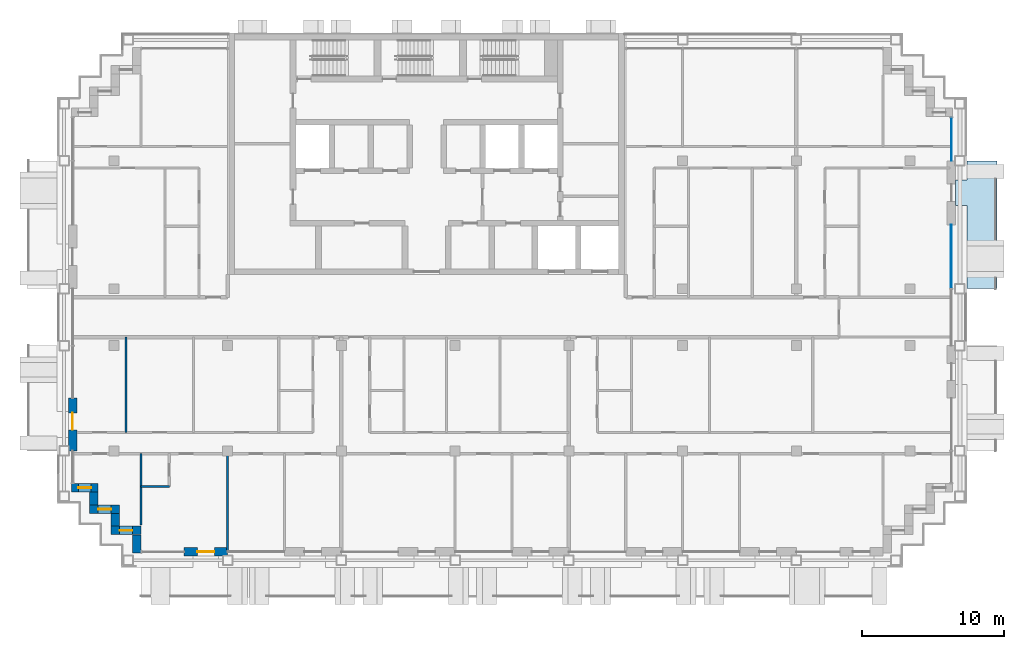
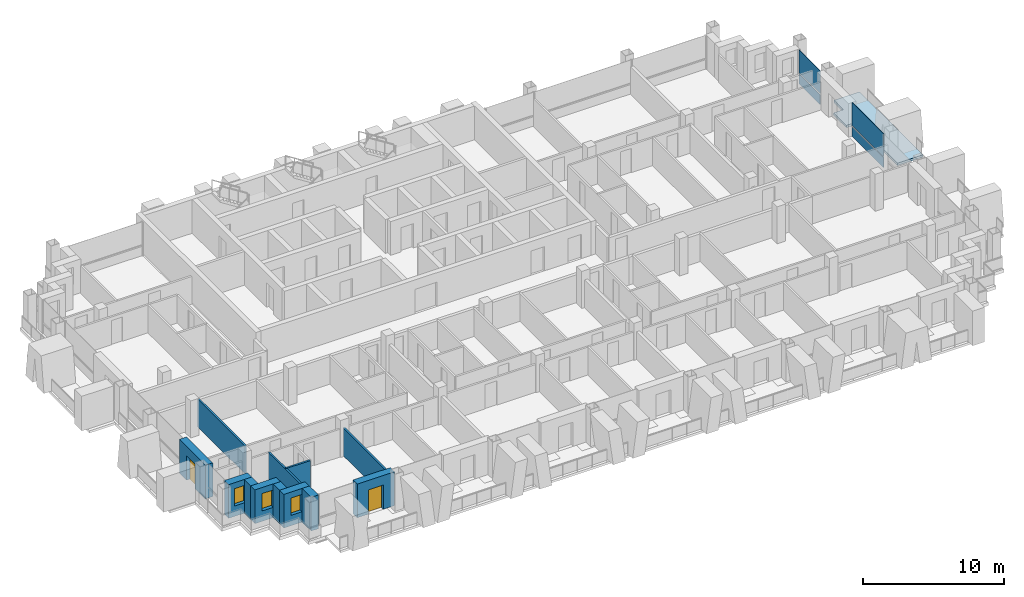
# One storey, part 7 of 16: 12 walls, 4 plates, 3 windows, 2 doors, 1 slab, 5 openings, 2 elements without a shape of their own.
"""IFC4 building model written with IfcOpenShell, lengths in metres."""

from ifc_helpers import new_model, si_unit, direction, frame, frame_2d, origin, origin_2d, place, context, subcontext, project, spatial, polyline, rectangle, outline, extrude, material, layer, layer_set, type_object, element, fill, aggregate, save


model = new_model("IFC4")

# Units and contexts
model_context = context("Model", 3, precision=1e-05, world=origin(), true_north=direction((0.0, 1.0)))
body_context = subcontext(model_context, "Body", "Model", "MODEL_VIEW")
ifc_project = project(units=[si_unit("LENGTHUNIT", "METRE"), si_unit("AREAUNIT", "SQUARE_METRE"), si_unit("VOLUMEUNIT", "CUBIC_METRE"), si_unit("PLANEANGLEUNIT", "RADIAN"), si_unit("MASSUNIT", "GRAM", prefix="KILO")], contexts=[model_context])

# Site, building, storey
site_placement = place(None, origin())
site = spatial("IfcSite", under=ifc_project, at=site_placement, CompositionType="ELEMENT")
building_placement = place(site_placement, origin())
building = spatial("IfcBuilding", under=site, at=building_placement, Name="Vidyagriha Tower", CompositionType="ELEMENT")
storey_placement = place(building_placement, frame((0.0, 0.0, 171.699951171875)))
storey = spatial("IfcBuildingStorey", under=building, at=storey_placement, Name="L44", CompositionType="ELEMENT", Elevation=171.699951171875)

# Curtain wall, plate
ifc_material_1 = material(Name="Aluminium and glass curtain wall", Category="aluminium")
curtain_wall_type = type_object("IfcCurtainWallType", Name="Dwelling skin unitised curtain wall", PredefinedType="USERDEFINED", material=ifc_material_1)
curtain_wall_1_placement = place(storey_placement, origin())
curtain_wall_1 = element("IfcCurtainWall", 1, at=curtain_wall_1_placement, inside=storey, type_object=curtain_wall_type, Name="CW1 dwelling skin", ObjectType="UNITISED", PredefinedType="USERDEFINED")
ifc_material_2 = material(Name="Glass dark ceramic-fritted spandrel", Category="glass")
ifc_layer_1 = layer(ifc_material_2, 0.0400390625)
ifc_layer_set_1 = layer_set([ifc_layer_1], Name="Glass dark ceramic-fritted spandrel")
plate_type_1 = type_object("IfcPlateType", Name="Ceramic-fritted spandrel panel", PredefinedType="CURTAIN_PANEL", material=ifc_layer_set_1)
plate_1_placement = place(storey_placement, frame((36.89990234375, 12.514892578125, 0.0), z_axis=(0.0, 0.0, 1.0), x_axis=(0.0, 1.0, 0.0)))
plate_1 = element("IfcPlate", 2, at=plate_1_placement, type_object=plate_type_1, Name="CW1 panel 1.1", PredefinedType="CURTAIN_PANEL", context=body_context, shape_type="SweptSolid", body=[
    extrude(rectangle(XDim=3.030029296875, YDim=0.0400390625, at=origin_2d()), origin(), (0.0, 0.0, 1.0), 0.85009765625),
])

curtain_wall_2_placement = place(storey_placement, origin())
curtain_wall_2 = element("IfcCurtainWall", 3, at=curtain_wall_2_placement, inside=storey, type_object=curtain_wall_type, Name="CW1 dwelling skin", ObjectType="UNITISED", PredefinedType="USERDEFINED")
ifc_material_3 = material(Name="Glass dark ceramic-fritted", Category="glass")
ifc_layer_2 = layer(ifc_material_3, 0.028076171875)
ifc_layer_set_2 = layer_set([ifc_layer_2], Name="Glass dark ceramic-fritted")
plate_type_2 = type_object("IfcPlateType", Name="Dark ceramic-fritted vision glass panel", PredefinedType="CURTAIN_PANEL", material=ifc_layer_set_2)
plate_2_placement = place(storey_placement, frame((36.89990234375, 4.267578125, 0.9501953125), z_axis=(0.0, 0.0, 1.0), x_axis=(0.0, 1.0, 0.0)))
plate_2 = element("IfcPlate", 4, at=plate_2_placement, type_object=plate_type_2, Name="CW1 panel 2.2", PredefinedType="CURTAIN_PANEL", context=body_context, shape_type="SweptSolid", body=[
    extrude(rectangle(XDim=4.465087890625, YDim=0.028076171875, at=origin_2d()), origin(), (0.0, 0.0, 1.0), 1.969970703125),
])

# Plate
plate_3_placement = place(storey_placement, frame((36.89990234375, 12.514892578125, 0.9501953125), z_axis=(0.0, 0.0, 1.0), x_axis=(0.0, 1.0, 0.0)))
plate_3 = element("IfcPlate", 5, at=plate_3_placement, type_object=plate_type_2, Name="CW1 panel 1.2", PredefinedType="CURTAIN_PANEL", context=body_context, shape_type="SweptSolid", body=[
    extrude(rectangle(XDim=3.030029296875, YDim=0.028076171875, at=origin_2d()), origin(), (0.0, 0.0, 1.0), 1.969970703125),
])

aggregate(curtain_wall_1, [plate_1, plate_3])

ifc_material_4 = material(Name="Aluminium black anodised", Category="aluminium")
ifc_layer_3 = layer(ifc_material_4, 0.06005859375)
ifc_layer_set_3 = layer_set([ifc_layer_3], Name="Aluminium black anodised")
plate_type_3 = type_object("IfcPlateType", Name="Operable black-metal vent panel", PredefinedType="CURTAIN_PANEL", material=ifc_layer_set_3)
plate_4_placement = place(storey_placement, frame((36.89990234375, 4.267578125, 0.0), z_axis=(0.0, 0.0, 1.0), x_axis=(0.0, 1.0, 0.0)))
plate_4 = element("IfcPlate", 6, at=plate_4_placement, type_object=plate_type_3, Name="CW1 panel 2.1", PredefinedType="CURTAIN_PANEL", context=body_context, shape_type="SweptSolid", body=[
    extrude(rectangle(XDim=4.465087890625, YDim=0.06005859375, at=origin_2d()), origin(), (0.0, 0.0, 1.0), 0.85009765625),
])

aggregate(curtain_wall_2, [plate_4, plate_2])

# Slab
ifc_material_5 = material(Name="Precast concrete C40/50", Category="concrete")
ifc_layer_4 = layer(ifc_material_5, 0.199951171875)
ifc_layer_set_4 = layer_set([ifc_layer_4], Name="Precast concrete C40/50")
slab_type = type_object("IfcSlabType", Name="Precast balcony slab 200", PredefinedType="USERDEFINED", material=ifc_layer_set_4)
slab_placement = place(storey_placement, frame((0.0, 0.0, -0.199951171875)))
element("IfcSlab", 7, at=slab_placement, inside=storey, type_object=slab_type, Name="Balcony slab L44 R30.2-2", ObjectType="BALCONY", PredefinedType="USERDEFINED", context=body_context, shape_type="SweptSolid", body=[
    extrude(outline(polyline([(38.0, 7.85009765625), (38.0, 2.0), (40.10009765625, 2.0), (40.10009765625, 11.0), (38.0, 11.0), (38.0, 9.64990234375), (37.199951171875, 9.64990234375), (37.199951171875, 7.85009765625), (38.0, 7.85009765625)])), origin(), (0.0, 0.0, 1.0), 0.199951171875),
])

# Wall, opening, door
ifc_material_6 = material(Name="Precast concrete C40/50 with brick facing", Category="concrete")
ifc_layer_5 = layer(ifc_material_6, 0.60009765625)
ifc_layer_set_5 = layer_set([ifc_layer_5], Name="Precast concrete C40/50 with brick facing")
wall_type_1 = type_object("IfcWallType", Name="Brick-faced precast wall 600", PredefinedType="STANDARD", material=ifc_layer_set_5)
wall_1_placement = place(storey_placement, frame((-24.89990234375, -5.699951171875, 0.0), z_axis=(0.0, 0.0, 1.0), x_axis=(0.0, -1.0, 0.0)))
wall_1 = element("IfcWall", 8, at=wall_1_placement, inside=storey, type_object=wall_type_1, Name="Brick door bay wall L44 R16.6", PredefinedType="STANDARD", context=body_context, shape_type="SweptSolid", body=[
    extrude(rectangle(XDim=3.699951171875, YDim=0.60009765625, at=frame_2d((1.85009765625, 0.0))), origin(), (0.0, 0.0, 1.0), 2.920166015625),
])
opening_1_placement = place(wall_1_placement, frame((1.02490234375, 0.0, 0.0)))
opening_1 = element("IfcOpeningElement", 9, at=opening_1_placement, cuts=wall_1, Name="Opening D44-69", PredefinedType="OPENING", context=body_context, shape_type="SweptSolid", body=[
    extrude(rectangle(XDim=1.199951171875, YDim=2.10009765625, at=frame_2d((0.60009765625, 1.050048828125))), frame((0.0, 0.31005859375, 0.0), z_axis=(0.0, -1.0, 0.0), x_axis=(1.0, 0.0, 0.0)), (0.0, 0.0, 1.0), 0.6201171875),
])
ifc_material_7 = material(Name="Aluminium framed glazed sliding door", Category="aluminium")
door_type = type_object("IfcDoorType", Name="Balcony sliding door 1200x2100", OperationType="NOTDEFINED", PredefinedType="DOOR", material=ifc_material_7)
door_1_placement = place(opening_1_placement, origin())
door_1 = element("IfcDoor", 10, at=door_1_placement, inside=storey, type_object=door_type, Name="Door D44-69", OperationType="SLIDING_TO_LEFT", OverallHeight=2.10009765625, OverallWidth=1.199951171875, PredefinedType="DOOR", context=body_context, shape_type="SweptSolid", body=[
    extrude(rectangle(XDim=1.199951171875, YDim=2.10009765625, at=frame_2d((0.60009765625, 1.050048828125))), frame((0.0, 0.02490234375, 0.0), z_axis=(0.0, -1.0, 0.0), x_axis=(1.0, 0.0, 0.0)), (0.0, 0.0, 1.0), 0.050048828125),
])
fill(opening_1, door_1)

# Wall, opening, window
wall_2_placement = place(storey_placement, frame((-24.97998046875, -12.0, 0.0)))
wall_2 = element("IfcWall", 11, at=wall_2_placement, inside=storey, type_object=wall_type_1, Name="Stepped corner wall L44 R17", PredefinedType="STANDARD", context=body_context, shape_type="SweptSolid", body=[
    extrude(rectangle(XDim=1.8798828125, YDim=0.60009765625, at=frame_2d((0.93994140625, 0.0))), origin(), (0.0, 0.0, 1.0), 2.920166015625),
])
opening_2_placement = place(wall_2_placement, frame((0.489990234375, 0.0, 0.89990234375)))
opening_2 = element("IfcOpeningElement", 12, at=opening_2_placement, cuts=wall_2, Name="Opening WN1", PredefinedType="OPENING", context=body_context, shape_type="SweptSolid", body=[
    extrude(rectangle(XDim=0.89990234375, YDim=1.5, at=frame_2d((0.449951171875, 0.75))), frame((0.0, 0.31005859375, 0.0), z_axis=(0.0, -1.0, 0.0), x_axis=(1.0, 0.0, 0.0)), (0.0, 0.0, 1.0), 0.6201171875),
])
ifc_material_8 = material(Name="Aluminium and glass window", Category="aluminium")
window_type = type_object("IfcWindowType", Name="Reveal window 900x1500", PartitioningType="NOTDEFINED", PredefinedType="WINDOW", material=ifc_material_8)
window_1_placement = place(opening_2_placement, origin())
window_1 = element("IfcWindow", 13, at=window_1_placement, inside=storey, type_object=window_type, Name="Reveal window L44 R17", OverallHeight=1.5, OverallWidth=0.89990234375, PartitioningType="SINGLE_PANEL", PredefinedType="WINDOW", context=body_context, shape_type="SweptSolid", body=[
    extrude(rectangle(XDim=0.89990234375, YDim=1.5, at=frame_2d((0.449951171875, 0.75))), frame((0.0, 0.030029296875, 0.0), z_axis=(0.0, -1.0, 0.0), x_axis=(1.0, 0.0, 0.0)), (0.0, 0.0, 1.0), 0.06005859375),
])
fill(opening_2, window_1)

# Wall
wall_3_placement = place(storey_placement, frame((-23.39990234375, -12.300048828125, 0.0), z_axis=(0.0, 0.0, 1.0), x_axis=(0.0, -1.0, 0.0)))
element("IfcWall", 14, at=wall_3_placement, inside=storey, type_object=wall_type_1, Name="Stepped corner wall L44 R18", PredefinedType="STANDARD", context=body_context, shape_type="SweptSolid", body=[
    extrude(rectangle(XDim=0.89990234375, YDim=0.60009765625, at=frame_2d((0.449951171875, 0.0))), origin(), (0.0, 0.0, 1.0), 2.920166015625),
])

# Wall, opening, window
wall_4_placement = place(storey_placement, frame((-23.699951171875, -13.5, 0.0)))
wall_4 = element("IfcWall", 15, at=wall_4_placement, inside=storey, type_object=wall_type_1, Name="Stepped corner wall L44 R19", PredefinedType="STANDARD", context=body_context, shape_type="SweptSolid", body=[
    extrude(rectangle(XDim=2.099853515625, YDim=0.60009765625, at=frame_2d((1.0498046875, 0.0))), origin(), (0.0, 0.0, 1.0), 2.920166015625),
])
opening_3_placement = place(wall_4_placement, frame((0.60009765625, 0.0, 0.89990234375)))
opening_3 = element("IfcOpeningElement", 16, at=opening_3_placement, cuts=wall_4, Name="Opening WN1", PredefinedType="OPENING", context=body_context, shape_type="SweptSolid", body=[
    extrude(rectangle(XDim=0.89990234375, YDim=1.5, at=frame_2d((0.449951171875, 0.75))), frame((0.0, 0.31005859375, 0.0), z_axis=(0.0, -1.0, 0.0), x_axis=(1.0, 0.0, 0.0)), (0.0, 0.0, 1.0), 0.6201171875),
])
window_2_placement = place(opening_3_placement, origin())
window_2 = element("IfcWindow", 17, at=window_2_placement, inside=storey, type_object=window_type, Name="Reveal window L44 R19", OverallHeight=1.5, OverallWidth=0.89990234375, PartitioningType="SINGLE_PANEL", PredefinedType="WINDOW", context=body_context, shape_type="SweptSolid", body=[
    extrude(rectangle(XDim=0.89990234375, YDim=1.5, at=frame_2d((0.449951171875, 0.75))), frame((0.0, 0.030029296875, 0.0), z_axis=(0.0, -1.0, 0.0), x_axis=(1.0, 0.0, 0.0)), (0.0, 0.0, 1.0), 0.06005859375),
])
fill(opening_3, window_2)

# Wall
wall_5_placement = place(storey_placement, frame((-21.89990234375, -13.800048828125, 0.0), z_axis=(0.0, 0.0, 1.0), x_axis=(0.0, -1.0, 0.0)))
element("IfcWall", 18, at=wall_5_placement, inside=storey, type_object=wall_type_1, Name="Stepped corner wall L44 R20", PredefinedType="STANDARD", context=body_context, shape_type="SweptSolid", body=[
    extrude(rectangle(XDim=0.89990234375, YDim=0.60009765625, at=frame_2d((0.449951171875, 0.0))), origin(), (0.0, 0.0, 1.0), 2.920166015625),
])

# Wall, opening, window
wall_6_placement = place(storey_placement, frame((-22.199951171875, -15.0, 0.0)))
wall_6 = element("IfcWall", 19, at=wall_6_placement, inside=storey, type_object=wall_type_1, Name="Stepped corner wall L44 R21", PredefinedType="STANDARD", context=body_context, shape_type="SweptSolid", body=[
    extrude(rectangle(XDim=2.099853515625, YDim=0.60009765625, at=frame_2d((1.0498046875, 0.0))), origin(), (0.0, 0.0, 1.0), 2.920166015625),
])
opening_4_placement = place(wall_6_placement, frame((0.60009765625, 0.0, 0.89990234375)))
opening_4 = element("IfcOpeningElement", 20, at=opening_4_placement, cuts=wall_6, Name="Opening WN1", PredefinedType="OPENING", context=body_context, shape_type="SweptSolid", body=[
    extrude(rectangle(XDim=0.89990234375, YDim=1.5, at=frame_2d((0.449951171875, 0.75))), frame((0.0, 0.31005859375, 0.0), z_axis=(0.0, -1.0, 0.0), x_axis=(1.0, 0.0, 0.0)), (0.0, 0.0, 1.0), 0.6201171875),
])
window_3_placement = place(opening_4_placement, origin())
window_3 = element("IfcWindow", 21, at=window_3_placement, inside=storey, type_object=window_type, Name="Reveal window L44 R21", OverallHeight=1.5, OverallWidth=0.89990234375, PartitioningType="SINGLE_PANEL", PredefinedType="WINDOW", context=body_context, shape_type="SweptSolid", body=[
    extrude(rectangle(XDim=0.89990234375, YDim=1.5, at=frame_2d((0.449951171875, 0.75))), frame((0.0, 0.030029296875, 0.0), z_axis=(0.0, -1.0, 0.0), x_axis=(1.0, 0.0, 0.0)), (0.0, 0.0, 1.0), 0.06005859375),
])
fill(opening_4, window_3)

# Wall
wall_7_placement = place(storey_placement, frame((-20.39990234375, -15.300048828125, 0.0), z_axis=(0.0, 0.0, 1.0), x_axis=(0.0, -1.0, 0.0)))
element("IfcWall", 22, at=wall_7_placement, inside=storey, type_object=wall_type_1, Name="Stepped corner wall L44 R22", PredefinedType="STANDARD", context=body_context, shape_type="SweptSolid", body=[
    extrude(rectangle(XDim=1.280029296875, YDim=0.60009765625, at=frame_2d((0.64013671875, 0.0))), origin(), (0.0, 0.0, 1.0), 2.920166015625),
])

# Wall, opening, door
wall_8_placement = place(storey_placement, frame((-17.050048828125, -16.5, 0.0)))
wall_8 = element("IfcWall", 23, at=wall_8_placement, inside=storey, type_object=wall_type_1, Name="Brick door bay wall L44 R23.2", PredefinedType="STANDARD", context=body_context, shape_type="SweptSolid", body=[
    extrude(rectangle(XDim=3.050048828125, YDim=0.60009765625, at=frame_2d((1.52490234375, 0.0))), origin(), (0.0, 0.0, 1.0), 2.920166015625),
])
opening_5_placement = place(wall_8_placement, frame((0.925048828125, 0.0, 0.0)))
opening_5 = element("IfcOpeningElement", 24, at=opening_5_placement, cuts=wall_8, Name="Opening D44-70", PredefinedType="OPENING", context=body_context, shape_type="SweptSolid", body=[
    extrude(rectangle(XDim=1.199951171875, YDim=2.10009765625, at=frame_2d((0.60009765625, 1.050048828125))), frame((0.0, 0.31005859375, 0.0), z_axis=(0.0, -1.0, 0.0), x_axis=(1.0, 0.0, 0.0)), (0.0, 0.0, 1.0), 0.6201171875),
])
door_2_placement = place(opening_5_placement, origin())
door_2 = element("IfcDoor", 25, at=door_2_placement, inside=storey, type_object=door_type, Name="Door D44-70", OperationType="SLIDING_TO_LEFT", OverallHeight=2.10009765625, OverallWidth=1.199951171875, PredefinedType="DOOR", context=body_context, shape_type="SweptSolid", body=[
    extrude(rectangle(XDim=1.199951171875, YDim=2.10009765625, at=frame_2d((0.60009765625, 1.050048828125))), frame((0.0, 0.02490234375, 0.0), z_axis=(0.0, -1.0, 0.0), x_axis=(1.0, 0.0, 0.0)), (0.0, 0.0, 1.0), 0.050048828125),
])
fill(opening_5, door_2)

# Walls
ifc_material_9 = material(Name="Gypsum board partition")
ifc_layer_6 = layer(ifc_material_9, 0.14990234375)
ifc_layer_set_6 = layer_set([ifc_layer_6], Name="Gypsum board partition")
wall_type_2 = type_object("IfcWallType", Name="Gypsum board partition 150", PredefinedType="PARTITIONING", material=ifc_layer_set_6)
wall_9_placement = place(storey_placement, frame((-21.14990234375, -8.10009765625, 0.0), z_axis=(0.0, 0.0, 1.0), x_axis=(0.0, 1.0, 0.0)))
element("IfcWall", 26, at=wall_9_placement, inside=storey, type_object=wall_type_2, Name="Wall all-L44-w007", PredefinedType="PARTITIONING", context=body_context, shape_type="SweptSolid", body=[
    extrude(rectangle(XDim=6.7001953125, YDim=0.14990234375, at=frame_2d((3.35009765625, 0.0))), origin(), (0.0, 0.0, 1.0), 2.400146484375),
])
wall_10_placement = place(storey_placement, frame((-20.10009765625, -9.60009765625, 0.0), z_axis=(0.0, 0.0, 1.0), x_axis=(0.0, -1.0, 0.0)))
element("IfcWall", 27, at=wall_10_placement, inside=storey, type_object=wall_type_2, Name="Wall all-L44-w017", PredefinedType="PARTITIONING", context=body_context, shape_type="SweptSolid", body=[
    extrude(rectangle(XDim=5.02001953125, YDim=0.14990234375, at=frame_2d((2.510009765625, 0.0))), origin(), (0.0, 0.0, 1.0), 2.400146484375),
])
wall_11_placement = place(storey_placement, frame((-14.0, -9.60009765625, 0.0), z_axis=(0.0, 0.0, 1.0), x_axis=(0.0, -1.0, 0.0)))
element("IfcWall", 28, at=wall_11_placement, inside=storey, type_object=wall_type_2, Name="Wall all-L44-w018", PredefinedType="PARTITIONING", context=body_context, shape_type="SweptSolid", body=[
    extrude(rectangle(XDim=6.809814453125, YDim=0.14990234375, at=frame_2d((3.40478515625, 0.0))), origin(), (0.0, 0.0, 1.0), 2.400146484375),
])
wall_12_placement = place(storey_placement, frame((-18.10009765625, -11.89990234375, 0.0), z_axis=(0.0, 0.0, 1.0), x_axis=(-1.0, 0.0, 0.0)))
element("IfcWall", 29, at=wall_12_placement, inside=storey, type_object=wall_type_2, Name="Wall all-L44-w021", PredefinedType="PARTITIONING", context=body_context, shape_type="SweptSolid", body=[
    extrude(rectangle(XDim=2.0, YDim=0.14990234375, at=frame_2d((1.0, 0.0))), origin(), (0.0, 0.0, 1.0), 2.400146484375),
])

save(model, "model.ifc")
